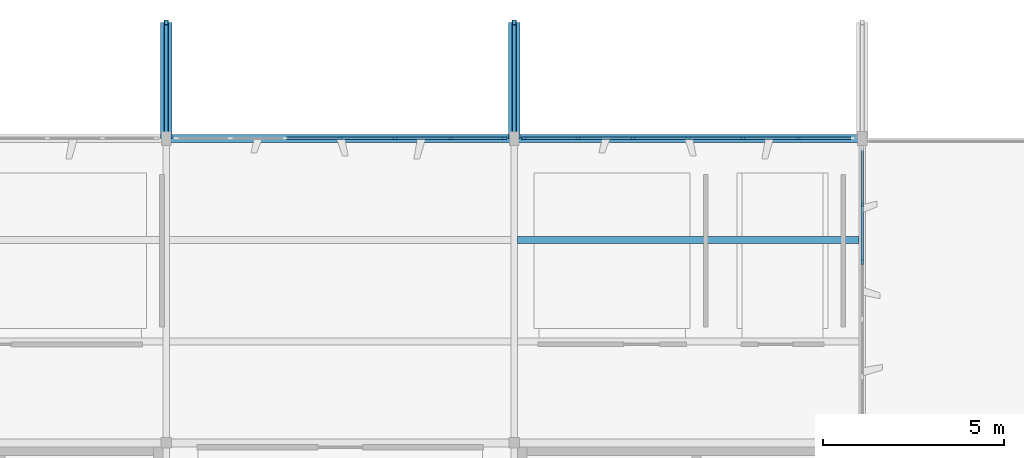
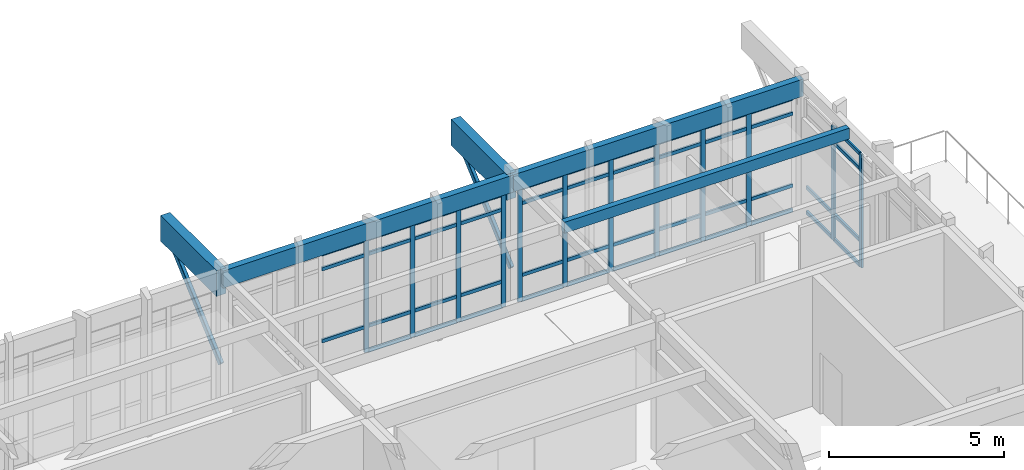
# One storey, part 10 of 19: 59 members, 5 beams, 3 elements without a shape of their own.
"""IFC4 building model written with IfcOpenShell, lengths in metres."""

from ifc_helpers import new_model, si_unit, direction, frame, origin, origin_2d, place, context, subcontext, project, spatial, rectangle, hollow_rectangle, extrude, material, layer, layer_set, material_profile, profile_set, type_object, element, aggregate, save


model = new_model("IFC4")

# Units and contexts
model_context = context("Model", 3, precision=1e-05, world=origin(), true_north=direction((0.0, 1.0)))
body_context = subcontext(model_context, "Body", "Model", "MODEL_VIEW")
ifc_project = project(units=[si_unit("LENGTHUNIT", "METRE"), si_unit("AREAUNIT", "SQUARE_METRE"), si_unit("VOLUMEUNIT", "CUBIC_METRE"), si_unit("PLANEANGLEUNIT", "RADIAN"), si_unit("MASSUNIT", "GRAM", prefix="KILO")], contexts=[model_context])

# Site, building, storey
site_placement = place(None, origin())
site = spatial("IfcSite", under=ifc_project, at=site_placement, CompositionType="ELEMENT")
building_placement = place(site_placement, origin())
building = spatial("IfcBuilding", under=site, at=building_placement, Name="Kolvemor Railside Polytechnic", CompositionType="ELEMENT")
storey_placement = place(building_placement, frame((0.0, 0.0, 27.0)))
storey = spatial("IfcBuildingStorey", under=building, at=storey_placement, Name="L06", CompositionType="ELEMENT", Elevation=27.0)

# Beams
ifc_material_1 = material(Name="Glulam GL28h", Category="wood")
ifc_material_profile_1 = material_profile(ifc_material_1, rectangle(XDim=0.31494140625, YDim=0.89990234375, at=origin_2d()), Name="GL315x900")
ifc_profile_set_1 = profile_set([ifc_material_profile_1], Name="Glulam GL28h")
beam_type_1 = type_object("IfcBeamType", Name="BM-GL-CANT", PredefinedType="BEAM", material=ifc_profile_set_1)
for number, where, z_axis, x_axis, name in (
    (1, (96.0, 38.39990234375, 4.114990234375), (0.0, 1.0, 0.0), (-1.0, 0.0, 0.0), "Cantilever Outrigger RF-GYC 1786"),
    (2, (105.60009765625, 38.39990234375, 4.114990234375), (0.0, 1.0, 0.0), (-1.0, 0.0, 0.0), "Cantilever Outrigger RF-GYC 1793"),
):
    element("IfcBeam", number, at=place(storey_placement, frame(where, z_axis=z_axis, x_axis=x_axis)), inside=storey, type_object=beam_type_1, Name=name, PredefinedType="BEAM", context=body_context, shape_type="SweptSolid", body=[
        extrude(rectangle(XDim=0.31494140625, YDim=0.89990234375, at=origin_2d()), origin(), (0.0, 0.0, 1.0), 3.2001953125),
    ])
ifc_material_2 = material(Name="Glulam GL28h", Category="wood")
ifc_material_profile_2 = material_profile(ifc_material_2, rectangle(XDim=0.215087890625, YDim=0.60009765625, at=origin_2d()), Name="GL215x600")
ifc_profile_set_2 = profile_set([ifc_material_profile_2], Name="Glulam GL28h")
beam_type_2 = type_object("IfcBeamType", Name="BM-GL-EAVE", PredefinedType="BEAM", material=ifc_profile_set_2)
beam_1_placement = place(storey_placement, frame((96.0, 38.39990234375, 4.264892578125), z_axis=(1.0, 0.0, 0.0), x_axis=(0.0, 1.0, 0.0)))
element("IfcBeam", 3, at=beam_1_placement, inside=storey, type_object=beam_type_2, Name="Primary Girder RF-GX 1758", PredefinedType="BEAM", context=body_context, shape_type="SweptSolid", body=[
    extrude(rectangle(XDim=0.215087890625, YDim=0.60009765625, at=origin_2d()), origin(), (0.0, 0.0, 1.0), 9.60009765625),
])
beam_2_placement = place(storey_placement, frame((105.60009765625, 38.39990234375, 4.264892578125), z_axis=(1.0, 0.0, 0.0), x_axis=(0.0, 1.0, 0.0)))
element("IfcBeam", 4, at=beam_2_placement, inside=storey, type_object=beam_type_2, Name="Primary Girder RF-GX 1759", PredefinedType="BEAM", context=body_context, shape_type="SweptSolid", body=[
    extrude(rectangle(XDim=0.215087890625, YDim=0.60009765625, at=origin_2d()), origin(), (0.0, 0.0, 1.0), 9.599853515625),
])
ifc_material_3 = material(Name="Glulam GL28h", Category="wood")
ifc_material_profile_3 = material_profile(ifc_material_3, rectangle(XDim=0.18505859375, YDim=0.3798828125, at=origin_2d()), Name="GL185x380")
ifc_profile_set_3 = profile_set([ifc_material_profile_3], Name="Glulam GL28h")
beam_type_3 = type_object("IfcBeamType", Name="BM-GL-JST6", PredefinedType="JOIST", material=ifc_profile_set_3)
beam_3_placement = place(storey_placement, frame((105.69189453125, 35.60009765625, 4.375), z_axis=(1.0, 0.0, 0.0), x_axis=(0.0, 1.0, 0.0)))
element("IfcBeam", 5, at=beam_3_placement, inside=storey, type_object=beam_type_3, Name="Floor Joist RF-J1825", PredefinedType="JOIST", context=body_context, shape_type="SweptSolid", body=[
    extrude(rectangle(XDim=0.18505859375, YDim=0.3798828125, at=origin_2d()), origin(), (0.0, 0.0, 1.0), 9.416015625),
])

# Curtain wall, members
ifc_material_4 = material(Name="Anodised marine aluminium and laminated low-E glass", Category="aluminium")
ifc_layer = layer(ifc_material_4, 0.179931640625, Name="CW-STICK-LIB")
ifc_layer_set = layer_set([ifc_layer], Name="Anodised marine aluminium and laminated low-E glass")
curtain_wall_type = type_object("IfcCurtainWallType", Name="CW-STICK-LIB", PredefinedType="USERDEFINED", material=ifc_layer_set)
curtain_wall_1_placement = place(storey_placement, origin())
curtain_wall_1 = element("IfcCurtainWall", 6, at=curtain_wall_1_placement, inside=storey, type_object=curtain_wall_type, Name="Curtain Wall L06-146", ObjectType="STICK GLAZED SCREEN", PredefinedType="USERDEFINED")
ifc_material_5 = material(Name="Anodised marine aluminium 6063-T6", Category="aluminium")
ifc_material_profile_4 = material_profile(ifc_material_5, rectangle(XDim=0.06494140625, YDim=0.14990234375, at=origin_2d()), Name="CW-MUL-65x150")
ifc_profile_set_4 = profile_set([ifc_material_profile_4], Name="Anodised marine aluminium 6063-T6")
member_type_1 = type_object("IfcMemberType", Name="CWM-65x150", PredefinedType="MULLION", material=ifc_profile_set_4)
member_1_placement = place(storey_placement, frame((105.327392578125, 38.39990234375, 0.0), z_axis=(0.0, 0.0, 1.0), x_axis=(0.0, -1.0, 0.0)))
member_1 = element("IfcMember", 7, at=member_1_placement, type_object=member_type_1, Name="CW-LIB mullion 1", PredefinedType="MULLION", context=body_context, shape_type="SweptSolid", body=[
    extrude(rectangle(XDim=0.06494140625, YDim=0.14990234375, at=origin_2d()), origin(), (0.0, 0.0, 1.0), 3.965087890625),
])
member_2_placement = place(storey_placement, frame((103.840087890625, 38.39990234375, 0.0), z_axis=(0.0, 0.0, 1.0), x_axis=(0.0, -1.0, 0.0)))
member_2 = element("IfcMember", 8, at=member_2_placement, type_object=member_type_1, Name="CW-LIB mullion 2", PredefinedType="MULLION", context=body_context, shape_type="SweptSolid", body=[
    extrude(rectangle(XDim=0.06494140625, YDim=0.14990234375, at=origin_2d()), origin(), (0.0, 0.0, 1.0), 3.965087890625),
])
member_3_placement = place(storey_placement, frame((102.320068359375, 38.39990234375, 0.0), z_axis=(0.0, 0.0, 1.0), x_axis=(0.0, -1.0, 0.0)))
member_3 = element("IfcMember", 9, at=member_3_placement, type_object=member_type_1, Name="CW-LIB mullion 3", PredefinedType="MULLION", context=body_context, shape_type="SweptSolid", body=[
    extrude(rectangle(XDim=0.06494140625, YDim=0.14990234375, at=origin_2d()), origin(), (0.0, 0.0, 1.0), 3.965087890625),
])
member_4_placement = place(storey_placement, frame((100.800048828125, 38.39990234375, 0.0), z_axis=(0.0, 0.0, 1.0), x_axis=(0.0, -1.0, 0.0)))
member_4 = element("IfcMember", 10, at=member_4_placement, type_object=member_type_1, Name="CW-LIB mullion 4", PredefinedType="MULLION", context=body_context, shape_type="SweptSolid", body=[
    extrude(rectangle(XDim=0.06494140625, YDim=0.14990234375, at=origin_2d()), origin(), (0.0, 0.0, 1.0), 3.965087890625),
])

curtain_wall_2_placement = place(storey_placement, origin())
curtain_wall_2 = element("IfcCurtainWall", 11, at=curtain_wall_2_placement, inside=storey, type_object=curtain_wall_type, Name="Curtain Wall L06-148", ObjectType="STICK GLAZED SCREEN", PredefinedType="USERDEFINED")
member_5_placement = place(storey_placement, frame((113.43994140625, 38.39990234375, 0.0), z_axis=(0.0, 0.0, 1.0), x_axis=(0.0, -1.0, 0.0)))
member_5 = element("IfcMember", 12, at=member_5_placement, type_object=member_type_1, Name="CW-LIB mullion 2", PredefinedType="MULLION", context=body_context, shape_type="SweptSolid", body=[
    extrude(rectangle(XDim=0.06494140625, YDim=0.14990234375, at=origin_2d()), origin(), (0.0, 0.0, 1.0), 3.965087890625),
])
member_6_placement = place(storey_placement, frame((111.919921875, 38.39990234375, 0.0), z_axis=(0.0, 0.0, 1.0), x_axis=(0.0, -1.0, 0.0)))
member_6 = element("IfcMember", 13, at=member_6_placement, type_object=member_type_1, Name="CW-LIB mullion 3", PredefinedType="MULLION", context=body_context, shape_type="SweptSolid", body=[
    extrude(rectangle(XDim=0.06494140625, YDim=0.14990234375, at=origin_2d()), origin(), (0.0, 0.0, 1.0), 3.965087890625),
])
member_7_placement = place(storey_placement, frame((110.39990234375, 38.39990234375, 0.0), z_axis=(0.0, 0.0, 1.0), x_axis=(0.0, -1.0, 0.0)))
member_7 = element("IfcMember", 14, at=member_7_placement, type_object=member_type_1, Name="CW-LIB mullion 4", PredefinedType="MULLION", context=body_context, shape_type="SweptSolid", body=[
    extrude(rectangle(XDim=0.06494140625, YDim=0.14990234375, at=origin_2d()), origin(), (0.0, 0.0, 1.0), 3.965087890625),
])
member_8_placement = place(storey_placement, frame((108.8798828125, 38.39990234375, 0.0), z_axis=(0.0, 0.0, 1.0), x_axis=(0.0, -1.0, 0.0)))
member_8 = element("IfcMember", 15, at=member_8_placement, type_object=member_type_1, Name="CW-LIB mullion 5", PredefinedType="MULLION", context=body_context, shape_type="SweptSolid", body=[
    extrude(rectangle(XDim=0.06494140625, YDim=0.14990234375, at=origin_2d()), origin(), (0.0, 0.0, 1.0), 3.965087890625),
])
member_9_placement = place(storey_placement, frame((107.360107421875, 38.39990234375, 0.0), z_axis=(0.0, 0.0, 1.0), x_axis=(0.0, -1.0, 0.0)))
member_9 = element("IfcMember", 16, at=member_9_placement, type_object=member_type_1, Name="CW-LIB mullion 6", PredefinedType="MULLION", context=body_context, shape_type="SweptSolid", body=[
    extrude(rectangle(XDim=0.06494140625, YDim=0.14990234375, at=origin_2d()), origin(), (0.0, 0.0, 1.0), 3.965087890625),
])
member_10_placement = place(storey_placement, frame((105.87255859375, 38.39990234375, 0.0), z_axis=(0.0, 0.0, 1.0), x_axis=(0.0, -1.0, 0.0)))
member_10 = element("IfcMember", 17, at=member_10_placement, type_object=member_type_1, Name="CW-LIB mullion 7", PredefinedType="MULLION", context=body_context, shape_type="SweptSolid", body=[
    extrude(rectangle(XDim=0.06494140625, YDim=0.14990234375, at=origin_2d()), origin(), (0.0, 0.0, 1.0), 3.965087890625),
])

curtain_wall_3_placement = place(storey_placement, origin())
curtain_wall_3 = element("IfcCurtainWall", 18, at=curtain_wall_3_placement, inside=storey, type_object=curtain_wall_type, Name="Curtain Wall L06-152", ObjectType="STICK GLAZED SCREEN", PredefinedType="USERDEFINED")
member_11_placement = place(storey_placement, frame((115.199951171875, 34.991943359375, 0.0), z_axis=(0.0, 0.0, 1.0), x_axis=(-1.0, 0.0, 0.0)))
member_11 = element("IfcMember", 19, at=member_11_placement, type_object=member_type_1, Name="CW-LIB mullion 4", PredefinedType="MULLION", context=body_context, shape_type="SweptSolid", body=[
    extrude(rectangle(XDim=0.06494140625, YDim=0.14990234375, at=origin_2d()), origin(), (0.0, 0.0, 1.0), 3.965087890625),
])
member_12_placement = place(storey_placement, frame((115.199951171875, 36.575927734375, 0.0), z_axis=(0.0, 0.0, 1.0), x_axis=(-1.0, 0.0, 0.0)))
member_12 = element("IfcMember", 20, at=member_12_placement, type_object=member_type_1, Name="CW-LIB mullion 5", PredefinedType="MULLION", context=body_context, shape_type="SweptSolid", body=[
    extrude(rectangle(XDim=0.06494140625, YDim=0.14990234375, at=origin_2d()), origin(), (0.0, 0.0, 1.0), 3.965087890625),
])

# Member
ifc_material_6 = material(Name="Anodised marine aluminium 6063-T6", Category="aluminium")
ifc_material_profile_5 = material_profile(ifc_material_6, rectangle(XDim=0.06494140625, YDim=0.1201171875, at=origin_2d()), Name="CW-TRN-65x120")
ifc_profile_set_5 = profile_set([ifc_material_profile_5], Name="Anodised marine aluminium 6063-T6")
member_type_2 = type_object("IfcMemberType", Name="CWT-65x120", PredefinedType="USERDEFINED", material=ifc_profile_set_5)
member_13_placement = place(storey_placement, frame((105.294921875, 38.39990234375, 0.032470703125), z_axis=(-1.0, 0.0, 0.0), x_axis=(0.0, -1.0, 0.0)))
member_13 = element("IfcMember", 21, at=member_13_placement, type_object=member_type_2, Name="CW-LIB transom 1.1", ObjectType="TRANSOM", PredefinedType="USERDEFINED", context=body_context, shape_type="SweptSolid", body=[
    extrude(rectangle(XDim=0.06494140625, YDim=0.1201171875, at=origin_2d()), origin(), (0.0, 0.0, 1.0), 1.42236328125),
])

member_14_placement = place(storey_placement, frame((105.294921875, 38.39990234375, 0.89990234375), z_axis=(-1.0, 0.0, 0.0), x_axis=(0.0, -1.0, 0.0)))
member_14 = element("IfcMember", 22, at=member_14_placement, type_object=member_type_2, Name="CW-LIB transom 1.2", ObjectType="TRANSOM", PredefinedType="USERDEFINED", context=body_context, shape_type="SweptSolid", body=[
    extrude(rectangle(XDim=0.06494140625, YDim=0.1201171875, at=origin_2d()), origin(), (0.0, 0.0, 1.0), 1.42236328125),
])

member_15_placement = place(storey_placement, frame((105.294921875, 38.39990234375, 3.4150390625), z_axis=(-1.0, 0.0, 0.0), x_axis=(0.0, -1.0, 0.0)))
member_15 = element("IfcMember", 23, at=member_15_placement, type_object=member_type_2, Name="CW-LIB transom 1.3", ObjectType="TRANSOM", PredefinedType="USERDEFINED", context=body_context, shape_type="SweptSolid", body=[
    extrude(rectangle(XDim=0.06494140625, YDim=0.1201171875, at=origin_2d()), origin(), (0.0, 0.0, 1.0), 1.42236328125),
])

member_16_placement = place(storey_placement, frame((105.294921875, 38.39990234375, 3.9326171875), z_axis=(-1.0, 0.0, 0.0), x_axis=(0.0, -1.0, 0.0)))
member_16 = element("IfcMember", 24, at=member_16_placement, type_object=member_type_2, Name="CW-LIB transom 1.4", ObjectType="TRANSOM", PredefinedType="USERDEFINED", context=body_context, shape_type="SweptSolid", body=[
    extrude(rectangle(XDim=0.06494140625, YDim=0.1201171875, at=origin_2d()), origin(), (0.0, 0.0, 1.0), 1.42236328125),
])

member_17_placement = place(storey_placement, frame((103.8076171875, 38.39990234375, 0.032470703125), z_axis=(-1.0, 0.0, 0.0), x_axis=(0.0, -1.0, 0.0)))
member_17 = element("IfcMember", 25, at=member_17_placement, type_object=member_type_2, Name="CW-LIB transom 2.1", ObjectType="TRANSOM", PredefinedType="USERDEFINED", context=body_context, shape_type="SweptSolid", body=[
    extrude(rectangle(XDim=0.06494140625, YDim=0.1201171875, at=origin_2d()), origin(), (0.0, 0.0, 1.0), 1.455078125),
])

member_18_placement = place(storey_placement, frame((103.8076171875, 38.39990234375, 0.89990234375), z_axis=(-1.0, 0.0, 0.0), x_axis=(0.0, -1.0, 0.0)))
member_18 = element("IfcMember", 26, at=member_18_placement, type_object=member_type_2, Name="CW-LIB transom 2.2", ObjectType="TRANSOM", PredefinedType="USERDEFINED", context=body_context, shape_type="SweptSolid", body=[
    extrude(rectangle(XDim=0.06494140625, YDim=0.1201171875, at=origin_2d()), origin(), (0.0, 0.0, 1.0), 1.455078125),
])

member_19_placement = place(storey_placement, frame((103.8076171875, 38.39990234375, 3.4150390625), z_axis=(-1.0, 0.0, 0.0), x_axis=(0.0, -1.0, 0.0)))
member_19 = element("IfcMember", 27, at=member_19_placement, type_object=member_type_2, Name="CW-LIB transom 2.3", ObjectType="TRANSOM", PredefinedType="USERDEFINED", context=body_context, shape_type="SweptSolid", body=[
    extrude(rectangle(XDim=0.06494140625, YDim=0.1201171875, at=origin_2d()), origin(), (0.0, 0.0, 1.0), 1.455078125),
])

member_20_placement = place(storey_placement, frame((103.8076171875, 38.39990234375, 3.9326171875), z_axis=(-1.0, 0.0, 0.0), x_axis=(0.0, -1.0, 0.0)))
member_20 = element("IfcMember", 28, at=member_20_placement, type_object=member_type_2, Name="CW-LIB transom 2.4", ObjectType="TRANSOM", PredefinedType="USERDEFINED", context=body_context, shape_type="SweptSolid", body=[
    extrude(rectangle(XDim=0.06494140625, YDim=0.1201171875, at=origin_2d()), origin(), (0.0, 0.0, 1.0), 1.455078125),
])

member_21_placement = place(storey_placement, frame((102.28759765625, 38.39990234375, 0.032470703125), z_axis=(-1.0, 0.0, 0.0), x_axis=(0.0, -1.0, 0.0)))
member_21 = element("IfcMember", 29, at=member_21_placement, type_object=member_type_2, Name="CW-LIB transom 3.1", ObjectType="TRANSOM", PredefinedType="USERDEFINED", context=body_context, shape_type="SweptSolid", body=[
    extrude(rectangle(XDim=0.06494140625, YDim=0.1201171875, at=origin_2d()), origin(), (0.0, 0.0, 1.0), 1.455078125),
])

member_22_placement = place(storey_placement, frame((102.28759765625, 38.39990234375, 0.89990234375), z_axis=(-1.0, 0.0, 0.0), x_axis=(0.0, -1.0, 0.0)))
member_22 = element("IfcMember", 30, at=member_22_placement, type_object=member_type_2, Name="CW-LIB transom 3.2", ObjectType="TRANSOM", PredefinedType="USERDEFINED", context=body_context, shape_type="SweptSolid", body=[
    extrude(rectangle(XDim=0.06494140625, YDim=0.1201171875, at=origin_2d()), origin(), (0.0, 0.0, 1.0), 1.455078125),
])

member_23_placement = place(storey_placement, frame((102.28759765625, 38.39990234375, 3.4150390625), z_axis=(-1.0, 0.0, 0.0), x_axis=(0.0, -1.0, 0.0)))
member_23 = element("IfcMember", 31, at=member_23_placement, type_object=member_type_2, Name="CW-LIB transom 3.3", ObjectType="TRANSOM", PredefinedType="USERDEFINED", context=body_context, shape_type="SweptSolid", body=[
    extrude(rectangle(XDim=0.06494140625, YDim=0.1201171875, at=origin_2d()), origin(), (0.0, 0.0, 1.0), 1.455078125),
])

member_24_placement = place(storey_placement, frame((102.28759765625, 38.39990234375, 3.9326171875), z_axis=(-1.0, 0.0, 0.0), x_axis=(0.0, -1.0, 0.0)))
member_24 = element("IfcMember", 32, at=member_24_placement, type_object=member_type_2, Name="CW-LIB transom 3.4", ObjectType="TRANSOM", PredefinedType="USERDEFINED", context=body_context, shape_type="SweptSolid", body=[
    extrude(rectangle(XDim=0.06494140625, YDim=0.1201171875, at=origin_2d()), origin(), (0.0, 0.0, 1.0), 1.455078125),
])

member_25_placement = place(storey_placement, frame((100.767578125, 38.39990234375, 0.89990234375), z_axis=(-1.0, 0.0, 0.0), x_axis=(0.0, -1.0, 0.0)))
member_25 = element("IfcMember", 33, at=member_25_placement, type_object=member_type_2, Name="CW-LIB transom 4.2", ObjectType="TRANSOM", PredefinedType="USERDEFINED", context=body_context, shape_type="SweptSolid", body=[
    extrude(rectangle(XDim=0.06494140625, YDim=0.1201171875, at=origin_2d()), origin(), (0.0, 0.0, 1.0), 1.455078125),
])

member_26_placement = place(storey_placement, frame((100.767578125, 38.39990234375, 3.4150390625), z_axis=(-1.0, 0.0, 0.0), x_axis=(0.0, -1.0, 0.0)))
member_26 = element("IfcMember", 34, at=member_26_placement, type_object=member_type_2, Name="CW-LIB transom 4.3", ObjectType="TRANSOM", PredefinedType="USERDEFINED", context=body_context, shape_type="SweptSolid", body=[
    extrude(rectangle(XDim=0.06494140625, YDim=0.1201171875, at=origin_2d()), origin(), (0.0, 0.0, 1.0), 1.455078125),
])

member_27_placement = place(storey_placement, frame((100.767578125, 38.39990234375, 3.9326171875), z_axis=(-1.0, 0.0, 0.0), x_axis=(0.0, -1.0, 0.0)))
member_27 = element("IfcMember", 35, at=member_27_placement, type_object=member_type_2, Name="CW-LIB transom 4.4", ObjectType="TRANSOM", PredefinedType="USERDEFINED", context=body_context, shape_type="SweptSolid", body=[
    extrude(rectangle(XDim=0.06494140625, YDim=0.1201171875, at=origin_2d()), origin(), (0.0, 0.0, 1.0), 1.455078125),
])

aggregate(curtain_wall_1, [member_1, member_2, member_3, member_4, member_13, member_14, member_15, member_16, member_17, member_18, member_19, member_20, member_21, member_22, member_23, member_24, member_25, member_26, member_27])

member_28_placement = place(storey_placement, frame((114.89501953125, 38.39990234375, 0.032470703125), z_axis=(-1.0, 0.0, 0.0), x_axis=(0.0, -1.0, 0.0)))
member_28 = element("IfcMember", 36, at=member_28_placement, type_object=member_type_2, Name="CW-LIB transom 1.1", ObjectType="TRANSOM", PredefinedType="USERDEFINED", context=body_context, shape_type="SweptSolid", body=[
    extrude(rectangle(XDim=0.06494140625, YDim=0.1201171875, at=origin_2d()), origin(), (0.0, 0.0, 1.0), 1.422607421875),
])

member_29_placement = place(storey_placement, frame((114.89501953125, 38.39990234375, 0.89990234375), z_axis=(-1.0, 0.0, 0.0), x_axis=(0.0, -1.0, 0.0)))
member_29 = element("IfcMember", 37, at=member_29_placement, type_object=member_type_2, Name="CW-LIB transom 1.2", ObjectType="TRANSOM", PredefinedType="USERDEFINED", context=body_context, shape_type="SweptSolid", body=[
    extrude(rectangle(XDim=0.06494140625, YDim=0.1201171875, at=origin_2d()), origin(), (0.0, 0.0, 1.0), 1.422607421875),
])

member_30_placement = place(storey_placement, frame((114.89501953125, 38.39990234375, 3.4150390625), z_axis=(-1.0, 0.0, 0.0), x_axis=(0.0, -1.0, 0.0)))
member_30 = element("IfcMember", 38, at=member_30_placement, type_object=member_type_2, Name="CW-LIB transom 1.3", ObjectType="TRANSOM", PredefinedType="USERDEFINED", context=body_context, shape_type="SweptSolid", body=[
    extrude(rectangle(XDim=0.06494140625, YDim=0.1201171875, at=origin_2d()), origin(), (0.0, 0.0, 1.0), 1.422607421875),
])

member_31_placement = place(storey_placement, frame((114.89501953125, 38.39990234375, 3.9326171875), z_axis=(-1.0, 0.0, 0.0), x_axis=(0.0, -1.0, 0.0)))
member_31 = element("IfcMember", 39, at=member_31_placement, type_object=member_type_2, Name="CW-LIB transom 1.4", ObjectType="TRANSOM", PredefinedType="USERDEFINED", context=body_context, shape_type="SweptSolid", body=[
    extrude(rectangle(XDim=0.06494140625, YDim=0.1201171875, at=origin_2d()), origin(), (0.0, 0.0, 1.0), 1.422607421875),
])

member_32_placement = place(storey_placement, frame((113.407470703125, 38.39990234375, 0.032470703125), z_axis=(-1.0, 0.0, 0.0), x_axis=(0.0, -1.0, 0.0)))
member_32 = element("IfcMember", 40, at=member_32_placement, type_object=member_type_2, Name="CW-LIB transom 2.1", ObjectType="TRANSOM", PredefinedType="USERDEFINED", context=body_context, shape_type="SweptSolid", body=[
    extrude(rectangle(XDim=0.06494140625, YDim=0.1201171875, at=origin_2d()), origin(), (0.0, 0.0, 1.0), 1.455078125),
])

member_33_placement = place(storey_placement, frame((113.407470703125, 38.39990234375, 0.89990234375), z_axis=(-1.0, 0.0, 0.0), x_axis=(0.0, -1.0, 0.0)))
member_33 = element("IfcMember", 41, at=member_33_placement, type_object=member_type_2, Name="CW-LIB transom 2.2", ObjectType="TRANSOM", PredefinedType="USERDEFINED", context=body_context, shape_type="SweptSolid", body=[
    extrude(rectangle(XDim=0.06494140625, YDim=0.1201171875, at=origin_2d()), origin(), (0.0, 0.0, 1.0), 1.455078125),
])

member_34_placement = place(storey_placement, frame((113.407470703125, 38.39990234375, 3.4150390625), z_axis=(-1.0, 0.0, 0.0), x_axis=(0.0, -1.0, 0.0)))
member_34 = element("IfcMember", 42, at=member_34_placement, type_object=member_type_2, Name="CW-LIB transom 2.3", ObjectType="TRANSOM", PredefinedType="USERDEFINED", context=body_context, shape_type="SweptSolid", body=[
    extrude(rectangle(XDim=0.06494140625, YDim=0.1201171875, at=origin_2d()), origin(), (0.0, 0.0, 1.0), 1.455078125),
])

member_35_placement = place(storey_placement, frame((113.407470703125, 38.39990234375, 3.9326171875), z_axis=(-1.0, 0.0, 0.0), x_axis=(0.0, -1.0, 0.0)))
member_35 = element("IfcMember", 43, at=member_35_placement, type_object=member_type_2, Name="CW-LIB transom 2.4", ObjectType="TRANSOM", PredefinedType="USERDEFINED", context=body_context, shape_type="SweptSolid", body=[
    extrude(rectangle(XDim=0.06494140625, YDim=0.1201171875, at=origin_2d()), origin(), (0.0, 0.0, 1.0), 1.455078125),
])

member_36_placement = place(storey_placement, frame((111.887451171875, 38.39990234375, 0.032470703125), z_axis=(-1.0, 0.0, 0.0), x_axis=(0.0, -1.0, 0.0)))
member_36 = element("IfcMember", 44, at=member_36_placement, type_object=member_type_2, Name="CW-LIB transom 3.1", ObjectType="TRANSOM", PredefinedType="USERDEFINED", context=body_context, shape_type="SweptSolid", body=[
    extrude(rectangle(XDim=0.06494140625, YDim=0.1201171875, at=origin_2d()), origin(), (0.0, 0.0, 1.0), 1.454833984375),
])

member_37_placement = place(storey_placement, frame((111.887451171875, 38.39990234375, 0.89990234375), z_axis=(-1.0, 0.0, 0.0), x_axis=(0.0, -1.0, 0.0)))
member_37 = element("IfcMember", 45, at=member_37_placement, type_object=member_type_2, Name="CW-LIB transom 3.2", ObjectType="TRANSOM", PredefinedType="USERDEFINED", context=body_context, shape_type="SweptSolid", body=[
    extrude(rectangle(XDim=0.06494140625, YDim=0.1201171875, at=origin_2d()), origin(), (0.0, 0.0, 1.0), 1.454833984375),
])

member_38_placement = place(storey_placement, frame((111.887451171875, 38.39990234375, 3.4150390625), z_axis=(-1.0, 0.0, 0.0), x_axis=(0.0, -1.0, 0.0)))
member_38 = element("IfcMember", 46, at=member_38_placement, type_object=member_type_2, Name="CW-LIB transom 3.3", ObjectType="TRANSOM", PredefinedType="USERDEFINED", context=body_context, shape_type="SweptSolid", body=[
    extrude(rectangle(XDim=0.06494140625, YDim=0.1201171875, at=origin_2d()), origin(), (0.0, 0.0, 1.0), 1.454833984375),
])

member_39_placement = place(storey_placement, frame((111.887451171875, 38.39990234375, 3.9326171875), z_axis=(-1.0, 0.0, 0.0), x_axis=(0.0, -1.0, 0.0)))
member_39 = element("IfcMember", 47, at=member_39_placement, type_object=member_type_2, Name="CW-LIB transom 3.4", ObjectType="TRANSOM", PredefinedType="USERDEFINED", context=body_context, shape_type="SweptSolid", body=[
    extrude(rectangle(XDim=0.06494140625, YDim=0.1201171875, at=origin_2d()), origin(), (0.0, 0.0, 1.0), 1.454833984375),
])

member_40_placement = place(storey_placement, frame((110.367431640625, 38.39990234375, 0.032470703125), z_axis=(-1.0, 0.0, 0.0), x_axis=(0.0, -1.0, 0.0)))
member_40 = element("IfcMember", 48, at=member_40_placement, type_object=member_type_2, Name="CW-LIB transom 4.1", ObjectType="TRANSOM", PredefinedType="USERDEFINED", context=body_context, shape_type="SweptSolid", body=[
    extrude(rectangle(XDim=0.06494140625, YDim=0.1201171875, at=origin_2d()), origin(), (0.0, 0.0, 1.0), 1.454833984375),
])

member_41_placement = place(storey_placement, frame((110.367431640625, 38.39990234375, 0.89990234375), z_axis=(-1.0, 0.0, 0.0), x_axis=(0.0, -1.0, 0.0)))
member_41 = element("IfcMember", 49, at=member_41_placement, type_object=member_type_2, Name="CW-LIB transom 4.2", ObjectType="TRANSOM", PredefinedType="USERDEFINED", context=body_context, shape_type="SweptSolid", body=[
    extrude(rectangle(XDim=0.06494140625, YDim=0.1201171875, at=origin_2d()), origin(), (0.0, 0.0, 1.0), 1.454833984375),
])

member_42_placement = place(storey_placement, frame((110.367431640625, 38.39990234375, 3.4150390625), z_axis=(-1.0, 0.0, 0.0), x_axis=(0.0, -1.0, 0.0)))
member_42 = element("IfcMember", 50, at=member_42_placement, type_object=member_type_2, Name="CW-LIB transom 4.3", ObjectType="TRANSOM", PredefinedType="USERDEFINED", context=body_context, shape_type="SweptSolid", body=[
    extrude(rectangle(XDim=0.06494140625, YDim=0.1201171875, at=origin_2d()), origin(), (0.0, 0.0, 1.0), 1.454833984375),
])

member_43_placement = place(storey_placement, frame((110.367431640625, 38.39990234375, 3.9326171875), z_axis=(-1.0, 0.0, 0.0), x_axis=(0.0, -1.0, 0.0)))
member_43 = element("IfcMember", 51, at=member_43_placement, type_object=member_type_2, Name="CW-LIB transom 4.4", ObjectType="TRANSOM", PredefinedType="USERDEFINED", context=body_context, shape_type="SweptSolid", body=[
    extrude(rectangle(XDim=0.06494140625, YDim=0.1201171875, at=origin_2d()), origin(), (0.0, 0.0, 1.0), 1.454833984375),
])

member_44_placement = place(storey_placement, frame((108.847412109375, 38.39990234375, 0.032470703125), z_axis=(-1.0, 0.0, 0.0), x_axis=(0.0, -1.0, 0.0)))
member_44 = element("IfcMember", 52, at=member_44_placement, type_object=member_type_2, Name="CW-LIB transom 5.1", ObjectType="TRANSOM", PredefinedType="USERDEFINED", context=body_context, shape_type="SweptSolid", body=[
    extrude(rectangle(XDim=0.06494140625, YDim=0.1201171875, at=origin_2d()), origin(), (0.0, 0.0, 1.0), 1.454833984375),
])

member_45_placement = place(storey_placement, frame((108.847412109375, 38.39990234375, 0.89990234375), z_axis=(-1.0, 0.0, 0.0), x_axis=(0.0, -1.0, 0.0)))
member_45 = element("IfcMember", 53, at=member_45_placement, type_object=member_type_2, Name="CW-LIB transom 5.2", ObjectType="TRANSOM", PredefinedType="USERDEFINED", context=body_context, shape_type="SweptSolid", body=[
    extrude(rectangle(XDim=0.06494140625, YDim=0.1201171875, at=origin_2d()), origin(), (0.0, 0.0, 1.0), 1.454833984375),
])

member_46_placement = place(storey_placement, frame((108.847412109375, 38.39990234375, 3.4150390625), z_axis=(-1.0, 0.0, 0.0), x_axis=(0.0, -1.0, 0.0)))
member_46 = element("IfcMember", 54, at=member_46_placement, type_object=member_type_2, Name="CW-LIB transom 5.3", ObjectType="TRANSOM", PredefinedType="USERDEFINED", context=body_context, shape_type="SweptSolid", body=[
    extrude(rectangle(XDim=0.06494140625, YDim=0.1201171875, at=origin_2d()), origin(), (0.0, 0.0, 1.0), 1.454833984375),
])

member_47_placement = place(storey_placement, frame((108.847412109375, 38.39990234375, 3.9326171875), z_axis=(-1.0, 0.0, 0.0), x_axis=(0.0, -1.0, 0.0)))
member_47 = element("IfcMember", 55, at=member_47_placement, type_object=member_type_2, Name="CW-LIB transom 5.4", ObjectType="TRANSOM", PredefinedType="USERDEFINED", context=body_context, shape_type="SweptSolid", body=[
    extrude(rectangle(XDim=0.06494140625, YDim=0.1201171875, at=origin_2d()), origin(), (0.0, 0.0, 1.0), 1.454833984375),
])

member_48_placement = place(storey_placement, frame((107.327392578125, 38.39990234375, 0.032470703125), z_axis=(-1.0, 0.0, 0.0), x_axis=(0.0, -1.0, 0.0)))
member_48 = element("IfcMember", 56, at=member_48_placement, type_object=member_type_2, Name="CW-LIB transom 6.1", ObjectType="TRANSOM", PredefinedType="USERDEFINED", context=body_context, shape_type="SweptSolid", body=[
    extrude(rectangle(XDim=0.06494140625, YDim=0.1201171875, at=origin_2d()), origin(), (0.0, 0.0, 1.0), 1.42236328125),
])

member_49_placement = place(storey_placement, frame((107.327392578125, 38.39990234375, 0.89990234375), z_axis=(-1.0, 0.0, 0.0), x_axis=(0.0, -1.0, 0.0)))
member_49 = element("IfcMember", 57, at=member_49_placement, type_object=member_type_2, Name="CW-LIB transom 6.2", ObjectType="TRANSOM", PredefinedType="USERDEFINED", context=body_context, shape_type="SweptSolid", body=[
    extrude(rectangle(XDim=0.06494140625, YDim=0.1201171875, at=origin_2d()), origin(), (0.0, 0.0, 1.0), 1.42236328125),
])

member_50_placement = place(storey_placement, frame((107.327392578125, 38.39990234375, 3.4150390625), z_axis=(-1.0, 0.0, 0.0), x_axis=(0.0, -1.0, 0.0)))
member_50 = element("IfcMember", 58, at=member_50_placement, type_object=member_type_2, Name="CW-LIB transom 6.3", ObjectType="TRANSOM", PredefinedType="USERDEFINED", context=body_context, shape_type="SweptSolid", body=[
    extrude(rectangle(XDim=0.06494140625, YDim=0.1201171875, at=origin_2d()), origin(), (0.0, 0.0, 1.0), 1.42236328125),
])

member_51_placement = place(storey_placement, frame((107.327392578125, 38.39990234375, 3.9326171875), z_axis=(-1.0, 0.0, 0.0), x_axis=(0.0, -1.0, 0.0)))
member_51 = element("IfcMember", 59, at=member_51_placement, type_object=member_type_2, Name="CW-LIB transom 6.4", ObjectType="TRANSOM", PredefinedType="USERDEFINED", context=body_context, shape_type="SweptSolid", body=[
    extrude(rectangle(XDim=0.06494140625, YDim=0.1201171875, at=origin_2d()), origin(), (0.0, 0.0, 1.0), 1.42236328125),
])

aggregate(curtain_wall_2, [member_5, member_6, member_7, member_8, member_9, member_10, member_28, member_29, member_30, member_31, member_32, member_33, member_34, member_35, member_36, member_37, member_38, member_39, member_40, member_41, member_42, member_43, member_44, member_45, member_46, member_47, member_48, member_49, member_50, member_51])

member_52_placement = place(storey_placement, frame((115.199951171875, 35.0244140625, 0.032470703125), z_axis=(0.0, 1.0, 0.0), x_axis=(-1.0, 0.0, 0.0)))
member_52 = element("IfcMember", 60, at=member_52_placement, type_object=member_type_2, Name="CW-LIB transom 4.1", ObjectType="TRANSOM", PredefinedType="USERDEFINED", context=body_context, shape_type="SweptSolid", body=[
    extrude(rectangle(XDim=0.06494140625, YDim=0.1201171875, at=origin_2d()), origin(), (0.0, 0.0, 1.0), 1.51904296875),
])

member_53_placement = place(storey_placement, frame((115.199951171875, 35.0244140625, 0.89990234375), z_axis=(0.0, 1.0, 0.0), x_axis=(-1.0, 0.0, 0.0)))
member_53 = element("IfcMember", 61, at=member_53_placement, type_object=member_type_2, Name="CW-LIB transom 4.2", ObjectType="TRANSOM", PredefinedType="USERDEFINED", context=body_context, shape_type="SweptSolid", body=[
    extrude(rectangle(XDim=0.06494140625, YDim=0.1201171875, at=origin_2d()), origin(), (0.0, 0.0, 1.0), 1.51904296875),
])

member_54_placement = place(storey_placement, frame((115.199951171875, 35.0244140625, 3.4150390625), z_axis=(0.0, 1.0, 0.0), x_axis=(-1.0, 0.0, 0.0)))
member_54 = element("IfcMember", 62, at=member_54_placement, type_object=member_type_2, Name="CW-LIB transom 4.3", ObjectType="TRANSOM", PredefinedType="USERDEFINED", context=body_context, shape_type="SweptSolid", body=[
    extrude(rectangle(XDim=0.06494140625, YDim=0.1201171875, at=origin_2d()), origin(), (0.0, 0.0, 1.0), 1.51904296875),
])

member_55_placement = place(storey_placement, frame((115.199951171875, 35.0244140625, 3.9326171875), z_axis=(0.0, 1.0, 0.0), x_axis=(-1.0, 0.0, 0.0)))
member_55 = element("IfcMember", 63, at=member_55_placement, type_object=member_type_2, Name="CW-LIB transom 4.4", ObjectType="TRANSOM", PredefinedType="USERDEFINED", context=body_context, shape_type="SweptSolid", body=[
    extrude(rectangle(XDim=0.06494140625, YDim=0.1201171875, at=origin_2d()), origin(), (0.0, 0.0, 1.0), 1.51904296875),
])

member_56_placement = place(storey_placement, frame((115.199951171875, 36.6083984375, 0.032470703125), z_axis=(0.0, 1.0, 0.0), x_axis=(-1.0, 0.0, 0.0)))
member_56 = element("IfcMember", 64, at=member_56_placement, type_object=member_type_2, Name="CW-LIB transom 5.1", ObjectType="TRANSOM", PredefinedType="USERDEFINED", context=body_context, shape_type="SweptSolid", body=[
    extrude(rectangle(XDim=0.06494140625, YDim=0.1201171875, at=origin_2d()), origin(), (0.0, 0.0, 1.0), 1.486572265625),
])

member_57_placement = place(storey_placement, frame((115.199951171875, 36.6083984375, 0.89990234375), z_axis=(0.0, 1.0, 0.0), x_axis=(-1.0, 0.0, 0.0)))
member_57 = element("IfcMember", 65, at=member_57_placement, type_object=member_type_2, Name="CW-LIB transom 5.2", ObjectType="TRANSOM", PredefinedType="USERDEFINED", context=body_context, shape_type="SweptSolid", body=[
    extrude(rectangle(XDim=0.06494140625, YDim=0.1201171875, at=origin_2d()), origin(), (0.0, 0.0, 1.0), 1.486572265625),
])

aggregate(curtain_wall_3, [member_11, member_12, member_52, member_53, member_54, member_55, member_56, member_57])

# Members
ifc_material_7 = material(Name="Steel S355", Category="steel")
ifc_material_profile_6 = material_profile(ifc_material_7, hollow_rectangle(XDim=0.1201171875, YDim=0.199951171875, WallThickness=0.008056640625, InnerFilletRadius=0.008056640625, OuterFilletRadius=0.01611328125, at=origin_2d()), Name="HSS200x120x8")
ifc_profile_set_6 = profile_set([ifc_material_profile_6], Name="Steel S355")
member_type_3 = type_object("IfcMemberType", Name="MEM-BR-HSS2", PredefinedType="BRACE", material=ifc_profile_set_6)
for number, where, z_axis, x_axis, name in (
    (66, (96.0, 38.39990234375, 1.264892578125), (0.0, 0.746774046934, 0.665077832156), (-1.0, 0.0, 0.0), "Overhang Knee Strut RF-KN1787"),
    (67, (105.60009765625, 38.39990234375, 1.264892578125), (0.0, 0.746774046934, 0.665077832156), (-1.0, 0.0, 0.0), "Overhang Knee Strut RF-KN1794"),
):
    element("IfcMember", number, at=place(storey_placement, frame(where, z_axis=z_axis, x_axis=x_axis)), inside=storey, type_object=member_type_3, Name=name, PredefinedType="BRACE", context=body_context, shape_type="SweptSolid", body=[
        extrude(hollow_rectangle(XDim=0.1201171875, YDim=0.199951171875, WallThickness=0.008056640625, InnerFilletRadius=0.008056640625, OuterFilletRadius=0.01611328125, at=origin_2d()), origin(), (0.0, 0.0, 1.0), 4.285400390625),
    ])

save(model, "model.ifc")
